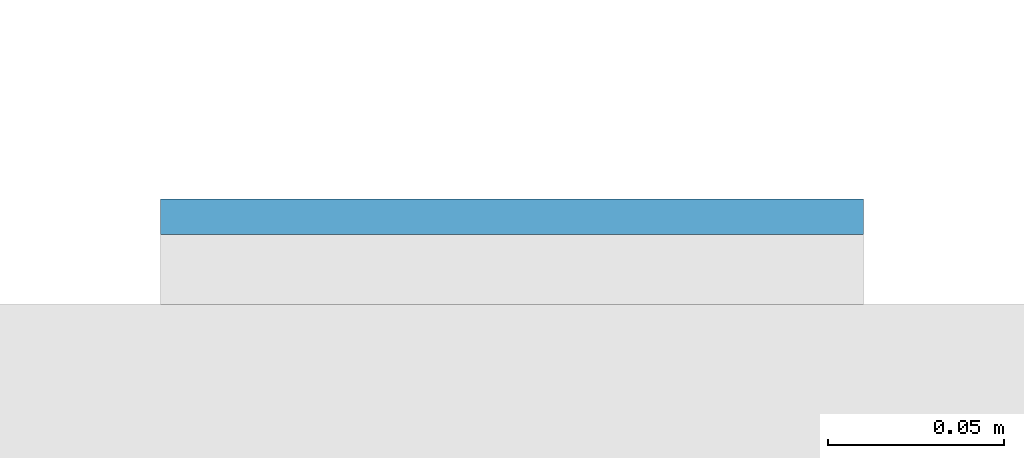
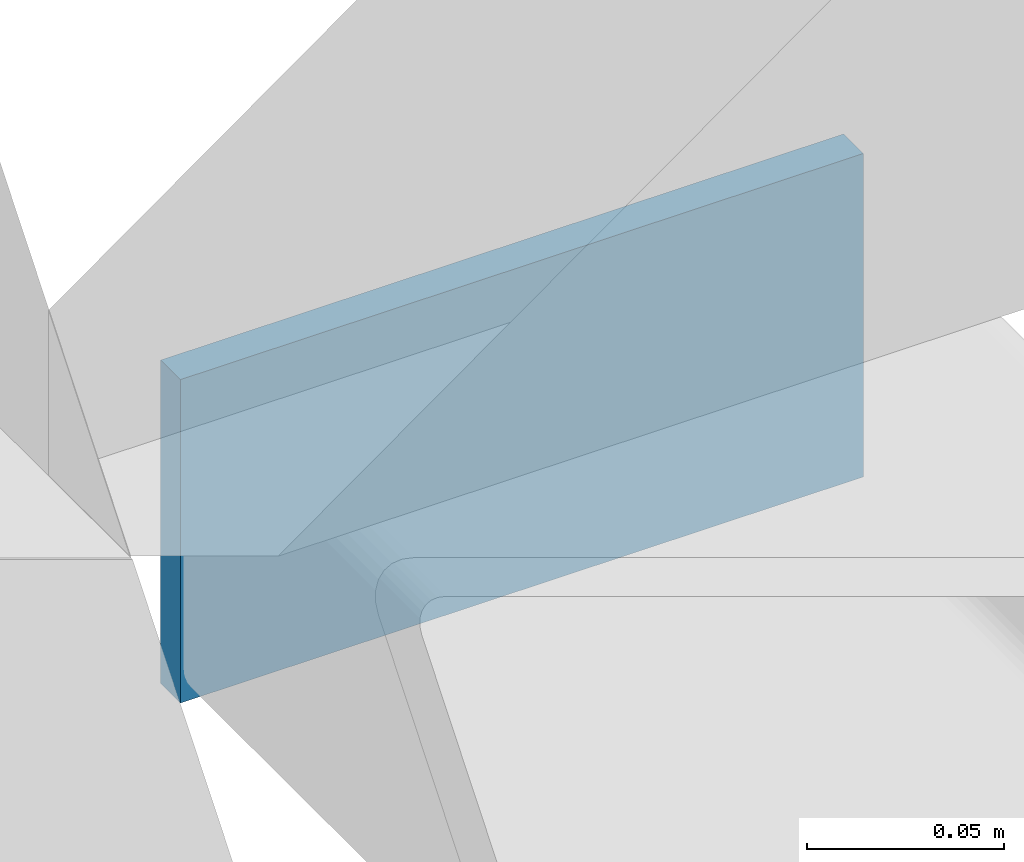
# One storey, part 11 of 21: 1 plate.
"""IFC4 building model written with IfcOpenShell, lengths in metres."""

from ifc_helpers import new_model, si_unit, direction, frame, origin, origin_2d, place, context, subcontext, project, spatial, rectangle, extrude, material, layer, layer_set, type_object, element, save


model = new_model("IFC4")

# Units and contexts
model_context = context("Model", 3, precision=1e-05, world=origin(), true_north=direction((0.0, 1.0)))
body_context = subcontext(model_context, "Body", "Model", "MODEL_VIEW")
ifc_project = project(units=[si_unit("LENGTHUNIT", "METRE"), si_unit("AREAUNIT", "SQUARE_METRE"), si_unit("VOLUMEUNIT", "CUBIC_METRE"), si_unit("PLANEANGLEUNIT", "RADIAN"), si_unit("MASSUNIT", "GRAM", prefix="KILO")], contexts=[model_context])

# Site, building, storey
site_placement = place(None, origin())
site = spatial("IfcSite", under=ifc_project, at=site_placement, CompositionType="ELEMENT")
building_placement = place(site_placement, origin())
building = spatial("IfcBuilding", under=site, at=building_placement, Name="Cleftline Residences", CompositionType="ELEMENT")
storey_placement = place(building_placement, frame((0.0, 0.0, 125.0)))
storey = spatial("IfcBuildingStorey", under=building, at=storey_placement, Name="L32", CompositionType="ELEMENT", Elevation=125.0)

# Plate
ifc_material = material(Name="Steel S355, hot-dip galvanised", Category="steel")
ifc_layer = layer(ifc_material, 0.010009765625)
ifc_layer_set = layer_set([ifc_layer], Name="BAGUETTE CARRIER END PLATE 200X100X10")
plate_type = type_object("IfcPlateType", Name="BAGUETTE CARRIER END PLATE 200X100X10", PredefinedType="USERDEFINED", material=ifc_layer_set)
plate_placement = place(storey_placement, frame((66.85009765625, 44.304931640625, -0.10009765625), z_axis=(0.0, 0.0, 1.0), x_axis=(1.0, 0.0, 0.0)))
element("IfcPlate", 1, at=plate_placement, inside=storey, type_object=plate_type, Name="Baguette carrier end plate", ObjectType="BAGUETTE CARRIER END PLATE", PredefinedType="USERDEFINED", context=body_context, shape_type="SweptSolid", body=[
    extrude(rectangle(XDim=0.199951171875, YDim=0.010009765625, at=origin_2d()), origin(), (0.0, 0.0, 1.0), 0.10009765625),
])

save(model, "model.ifc")
